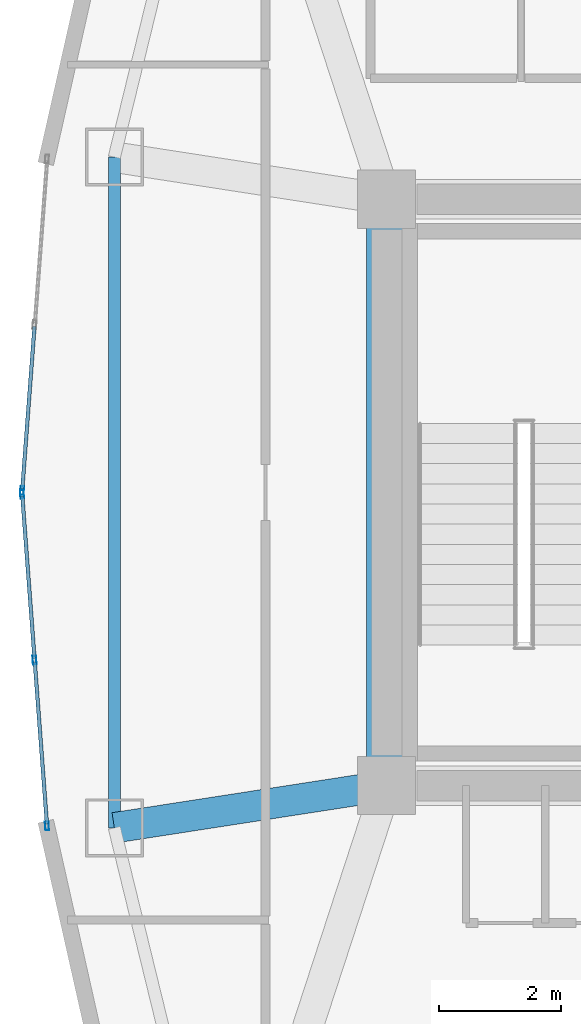
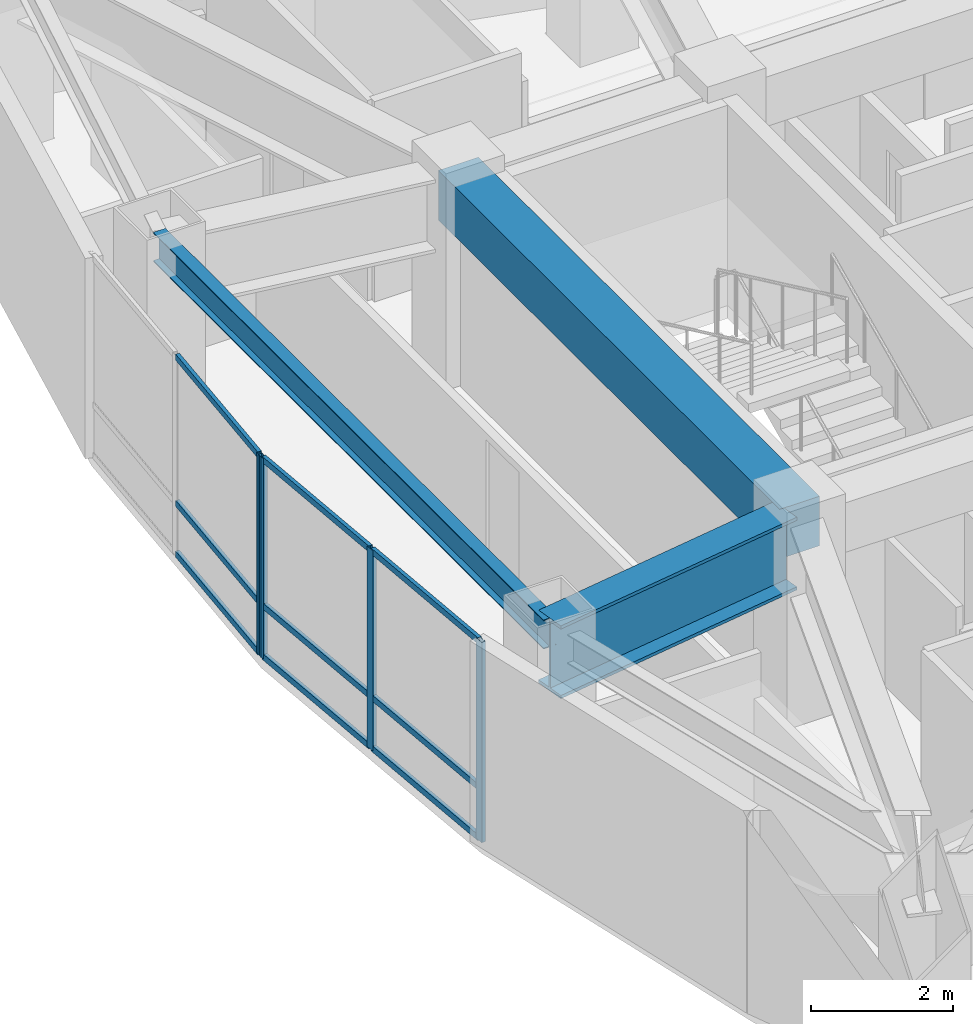
# One storey, part 3 of 15: 13 members, 3 beams, 2 elements without a shape of their own.
"""IFC4 building model written with IfcOpenShell, lengths in metres."""

from ifc_helpers import new_model, si_unit, direction, frame, origin, origin_2d, place, context, subcontext, project, spatial, rectangle, hollow_rectangle, i_section, extrude, material, layer, layer_set, material_profile, profile_set, type_object, element, aggregate, save


model = new_model("IFC4")

# Units and contexts
model_context = context("Model", 3, precision=1e-05, world=origin(), true_north=direction((0.0, 1.0)))
body_context = subcontext(model_context, "Body", "Model", "MODEL_VIEW")
ifc_project = project(units=[si_unit("LENGTHUNIT", "METRE"), si_unit("AREAUNIT", "SQUARE_METRE"), si_unit("VOLUMEUNIT", "CUBIC_METRE"), si_unit("PLANEANGLEUNIT", "RADIAN"), si_unit("MASSUNIT", "GRAM", prefix="KILO")], contexts=[model_context])

# Site, building, storey
site_placement = place(None, origin())
site = spatial("IfcSite", under=ifc_project, at=site_placement, CompositionType="ELEMENT")
building_placement = place(site_placement, origin())
building = spatial("IfcBuilding", under=site, at=building_placement, Name="Menara Vayukalpa", CompositionType="ELEMENT")
storey_placement = place(building_placement, frame((0.0, 0.0, 230.699951171875)))
storey = spatial("IfcBuildingStorey", under=building, at=storey_placement, Name="L58", CompositionType="ELEMENT", Elevation=230.699951171875)

# Beams
ifc_material_1 = material(Name="Concrete C60/75", Category="concrete")
ifc_material_profile_1 = material_profile(ifc_material_1, rectangle(XDim=0.64990234375, YDim=0.85009765625, at=origin_2d()), Name="RC 650x850")
ifc_profile_set_1 = profile_set([ifc_material_profile_1], Name="Concrete C60/75")
beam_type_1 = type_object("IfcBeamType", Name="BM-CB1", PredefinedType="BEAM", material=ifc_profile_set_1)
beam_1_placement = place(storey_placement, frame((17.800048828125, 17.199951171875, 3.01513671875), z_axis=(0.0, 1.0, 0.0), x_axis=(-1.0, 0.0, 0.0)))
element("IfcBeam", 1, at=beam_1_placement, inside=storey, type_object=beam_type_1, Name="L58 Core Tie Beam CBR7", PredefinedType="BEAM", context=body_context, shape_type="SweptSolid", body=[
    extrude(rectangle(XDim=0.64990234375, YDim=0.85009765625, at=origin_2d()), origin(), (0.0, 0.0, 1.0), 9.60009765625),
])
ifc_material_2 = material(Name="Steel S355", Category="steel")
ifc_material_profile_2 = material_profile(ifc_material_2, i_section(OverallWidth=0.199951171875, OverallDepth=0.5, WebThickness=0.010009765625, FlangeThickness=0.01611328125, at=origin_2d()), Name="WF 500x200x10x16")
ifc_profile_set_2 = profile_set([ifc_material_profile_2], Name="Steel S355")
beam_type_2 = type_object("IfcBeamType", Name="BM-SP3", PredefinedType="SPANDREL", material=ifc_profile_set_2)
beam_2_placement = place(storey_placement, frame((13.343994140625, 27.4892578125, 3.18994140625), z_axis=(0.0, -1.0, 0.0), x_axis=(1.0, 0.0, 0.0)))
element("IfcBeam", 2, at=beam_2_placement, inside=storey, type_object=beam_type_2, Name="L58 Perimeter Spandrel Beam SP05", PredefinedType="SPANDREL", context=body_context, shape_type="SweptSolid", body=[
    extrude(i_section(OverallWidth=0.199951171875, OverallDepth=0.5, WebThickness=0.010009765625, FlangeThickness=0.01611328125, at=origin_2d()), origin(), (0.0, 0.0, 1.0), 10.978515625),
])
ifc_material_3 = material(Name="Steel S460", Category="steel")
ifc_material_profile_3 = material_profile(ifc_material_3, i_section(OverallWidth=0.5, OverallDepth=1.25, WebThickness=0.028076171875, FlangeThickness=0.054931640625, at=origin_2d()), Name="WG 1250x500x28x55")
ifc_profile_set_3 = profile_set([ifc_material_profile_3], Name="Steel S460")
beam_type_3 = type_object("IfcBeamType", Name="BM-TG2", PredefinedType="BEAM", material=ifc_profile_set_3)
beam_3_placement = place(storey_placement, frame((17.552978515625, 17.161865234375, 2.81494140625), z_axis=(-0.988244781219, -0.152879862617, 0.0), x_axis=(0.152879862617, -0.988244781219, 0.0)))
element("IfcBeam", 3, at=beam_3_placement, inside=storey, type_object=beam_type_3, Name="L58 Primary Radial Girder RG06", PredefinedType="BEAM", context=body_context, shape_type="SweptSolid", body=[
    extrude(i_section(OverallWidth=0.5, OverallDepth=1.25, WebThickness=0.028076171875, FlangeThickness=0.054931640625, at=origin_2d()), origin(), (0.0, 0.0, 1.0), 4.259033203125),
])

# Curtain wall, member
ifc_material_4 = material(Name="Anodised Terracotta Aluminium Alloy 6063-T6", Category="masonry")
ifc_layer = layer(ifc_material_4, 0.139892578125)
ifc_layer_set = layer_set([ifc_layer], Name="Anodised Terracotta Aluminium Alloy 6063-T6")
curtain_wall_type = type_object("IfcCurtainWallType", Name="CW-CW5", PredefinedType="USERDEFINED", material=ifc_layer_set)
curtain_wall_1_placement = place(storey_placement, origin())
curtain_wall_1 = element("IfcCurtainWall", 4, at=curtain_wall_1_placement, inside=storey, type_object=curtain_wall_type, Name="L58 High Rise Tapered Curtain Wall CW5 10", ObjectType="UNITISED", PredefinedType="USERDEFINED")
ifc_material_5 = material(Name="Anodised Terracotta Aluminium Alloy 6063-T6", Category="masonry")
ifc_material_profile_4 = material_profile(ifc_material_5, hollow_rectangle(XDim=0.06005859375, YDim=0.139892578125, WallThickness=0.00341796875, at=origin_2d()), Name="ALU 60x140x3.5")
ifc_profile_set_4 = profile_set([ifc_material_profile_4], Name="Anodised Terracotta Aluminium Alloy 6063-T6")
member_type_1 = type_object("IfcMemberType", Name="CWM-CW5", PredefinedType="MULLION", material=ifc_profile_set_4)
member_1_placement = place(storey_placement, frame((11.83447265625, 22.030029296875, 0.0), z_axis=(0.0, 0.0, 1.0), x_axis=(0.9971991744, -0.074791754736, 0.0)))
member_1 = element("IfcMember", 5, at=member_1_placement, type_object=member_type_1, Name="CW5 mullion 3", PredefinedType="MULLION", context=body_context, shape_type="SweptSolid", body=[
    extrude(hollow_rectangle(XDim=0.06005859375, YDim=0.139892578125, WallThickness=0.00341796875, at=origin_2d()), origin(), (0.0, 0.0, 1.0), 3.43994140625),
])

# Curtain wall, members
curtain_wall_2_placement = place(storey_placement, origin())
curtain_wall_2 = element("IfcCurtainWall", 6, at=curtain_wall_2_placement, inside=storey, type_object=curtain_wall_type, Name="L58 High Rise Tapered Curtain Wall CW5 11", ObjectType="UNITISED", PredefinedType="USERDEFINED")
member_2_placement = place(storey_placement, frame((11.83447265625, 21.969970703125, 0.0), z_axis=(0.0, 0.0, 1.0), x_axis=(0.9971991744, 0.074791754736, 0.0)))
member_2 = element("IfcMember", 7, at=member_2_placement, type_object=member_type_1, Name="CW5 mullion 1", PredefinedType="MULLION", context=body_context, shape_type="SweptSolid", body=[
    extrude(hollow_rectangle(XDim=0.06005859375, YDim=0.139892578125, WallThickness=0.00341796875, at=origin_2d()), origin(), (0.0, 0.0, 1.0), 3.43994140625),
])
member_3_placement = place(storey_placement, frame((12.0380859375, 19.25537109375, 0.0), z_axis=(0.0, 0.0, 1.0), x_axis=(0.9971991744, 0.074791754736, 0.0)))
member_3 = element("IfcMember", 8, at=member_3_placement, type_object=member_type_1, Name="CW5 mullion 2", PredefinedType="MULLION", context=body_context, shape_type="SweptSolid", body=[
    extrude(hollow_rectangle(XDim=0.06005859375, YDim=0.139892578125, WallThickness=0.00341796875, at=origin_2d()), origin(), (0.0, 0.0, 1.0), 3.43994140625),
])
member_4_placement = place(storey_placement, frame((12.24169921875, 16.540771484375, 0.0), z_axis=(0.0, 0.0, 1.0), x_axis=(0.9971991744, 0.074791754736, 0.0)))
member_4 = element("IfcMember", 9, at=member_4_placement, type_object=member_type_1, Name="CW5 mullion 3", PredefinedType="MULLION", context=body_context, shape_type="SweptSolid", body=[
    extrude(hollow_rectangle(XDim=0.06005859375, YDim=0.139892578125, WallThickness=0.00341796875, at=origin_2d()), origin(), (0.0, 0.0, 1.0), 3.43994140625),
])

# Member
ifc_material_6 = material(Name="Anodised Terracotta Aluminium Alloy 6063-T6", Category="masonry")
ifc_material_profile_5 = material_profile(ifc_material_6, hollow_rectangle(XDim=0.06005859375, YDim=0.10498046875, WallThickness=0.0029296875, at=origin_2d()), Name="ALU 60x105x3")
ifc_profile_set_5 = profile_set([ifc_material_profile_5], Name="Anodised Terracotta Aluminium Alloy 6063-T6")
member_type_2 = type_object("IfcMemberType", Name="CWT-CW5", PredefinedType="USERDEFINED", material=ifc_profile_set_5)
member_5_placement = place(storey_placement, frame((12.035888671875, 24.714599609375, 0.030029296875), z_axis=(-0.074830984436, -0.997196231325, 0.0), x_axis=(0.997196231325, -0.074830984436, 0.0)))
member_5 = element("IfcMember", 10, at=member_5_placement, type_object=member_type_2, Name="CW5 transom 2.1", ObjectType="TRANSOM", PredefinedType="USERDEFINED", context=body_context, shape_type="SweptSolid", body=[
    extrude(hollow_rectangle(XDim=0.06005859375, YDim=0.10498046875, WallThickness=0.0029296875, at=origin_2d()), origin(), (0.0, 0.0, 1.0), 2.662353515625),
])

member_6_placement = place(storey_placement, frame((12.035888671875, 24.714599609375, 0.900146484375), z_axis=(-0.074830984436, -0.997196231325, 0.0), x_axis=(0.997196231325, -0.074830984436, 0.0)))
member_6 = element("IfcMember", 11, at=member_6_placement, type_object=member_type_2, Name="CW5 transom 2.2", ObjectType="TRANSOM", PredefinedType="USERDEFINED", context=body_context, shape_type="SweptSolid", body=[
    extrude(hollow_rectangle(XDim=0.06005859375, YDim=0.10498046875, WallThickness=0.0029296875, at=origin_2d()), origin(), (0.0, 0.0, 1.0), 2.662353515625),
])

member_7_placement = place(storey_placement, frame((12.035888671875, 24.714599609375, 3.41015625), z_axis=(-0.074830984436, -0.997196231325, 0.0), x_axis=(0.997196231325, -0.074830984436, 0.0)))
member_7 = element("IfcMember", 12, at=member_7_placement, type_object=member_type_2, Name="CW5 transom 2.3", ObjectType="TRANSOM", PredefinedType="USERDEFINED", context=body_context, shape_type="SweptSolid", body=[
    extrude(hollow_rectangle(XDim=0.06005859375, YDim=0.10498046875, WallThickness=0.0029296875, at=origin_2d()), origin(), (0.0, 0.0, 1.0), 2.662353515625),
])

aggregate(curtain_wall_1, [member_1, member_5, member_6, member_7])

member_8_placement = place(storey_placement, frame((11.836669921875, 21.940185546875, 0.030029296875), z_axis=(0.074830984436, -0.997196231325, 0.0), x_axis=(0.997196231325, 0.074830984436, 0.0)))
member_8 = element("IfcMember", 13, at=member_8_placement, type_object=member_type_2, Name="CW5 transom 1.1", ObjectType="TRANSOM", PredefinedType="USERDEFINED", context=body_context, shape_type="SweptSolid", body=[
    extrude(hollow_rectangle(XDim=0.06005859375, YDim=0.10498046875, WallThickness=0.0029296875, at=origin_2d()), origin(), (0.0, 0.0, 1.0), 2.662353515625),
])

member_9_placement = place(storey_placement, frame((11.836669921875, 21.940185546875, 0.900146484375), z_axis=(0.074830984436, -0.997196231325, 0.0), x_axis=(0.997196231325, 0.074830984436, 0.0)))
member_9 = element("IfcMember", 14, at=member_9_placement, type_object=member_type_2, Name="CW5 transom 1.2", ObjectType="TRANSOM", PredefinedType="USERDEFINED", context=body_context, shape_type="SweptSolid", body=[
    extrude(hollow_rectangle(XDim=0.06005859375, YDim=0.10498046875, WallThickness=0.0029296875, at=origin_2d()), origin(), (0.0, 0.0, 1.0), 2.662353515625),
])

member_10_placement = place(storey_placement, frame((11.836669921875, 21.940185546875, 3.41015625), z_axis=(0.074830984436, -0.997196231325, 0.0), x_axis=(0.997196231325, 0.074830984436, 0.0)))
member_10 = element("IfcMember", 15, at=member_10_placement, type_object=member_type_2, Name="CW5 transom 1.3", ObjectType="TRANSOM", PredefinedType="USERDEFINED", context=body_context, shape_type="SweptSolid", body=[
    extrude(hollow_rectangle(XDim=0.06005859375, YDim=0.10498046875, WallThickness=0.0029296875, at=origin_2d()), origin(), (0.0, 0.0, 1.0), 2.662353515625),
])

member_11_placement = place(storey_placement, frame((12.040283203125, 19.2255859375, 0.030029296875), z_axis=(0.074824141952, -0.997196744771, 0.0), x_axis=(0.997196744771, 0.074824141952, 0.0)))
member_11 = element("IfcMember", 16, at=member_11_placement, type_object=member_type_2, Name="CW5 transom 2.1", ObjectType="TRANSOM", PredefinedType="USERDEFINED", context=body_context, shape_type="SweptSolid", body=[
    extrude(hollow_rectangle(XDim=0.06005859375, YDim=0.10498046875, WallThickness=0.0029296875, at=origin_2d()), origin(), (0.0, 0.0, 1.0), 2.66259765625),
])

member_12_placement = place(storey_placement, frame((12.040283203125, 19.2255859375, 0.900146484375), z_axis=(0.074824141952, -0.997196744771, 0.0), x_axis=(0.997196744771, 0.074824141952, 0.0)))
member_12 = element("IfcMember", 17, at=member_12_placement, type_object=member_type_2, Name="CW5 transom 2.2", ObjectType="TRANSOM", PredefinedType="USERDEFINED", context=body_context, shape_type="SweptSolid", body=[
    extrude(hollow_rectangle(XDim=0.06005859375, YDim=0.10498046875, WallThickness=0.0029296875, at=origin_2d()), origin(), (0.0, 0.0, 1.0), 2.66259765625),
])

member_13_placement = place(storey_placement, frame((12.040283203125, 19.2255859375, 3.41015625), z_axis=(0.074824141952, -0.997196744771, 0.0), x_axis=(0.997196744771, 0.074824141952, 0.0)))
member_13 = element("IfcMember", 18, at=member_13_placement, type_object=member_type_2, Name="CW5 transom 2.3", ObjectType="TRANSOM", PredefinedType="USERDEFINED", context=body_context, shape_type="SweptSolid", body=[
    extrude(hollow_rectangle(XDim=0.06005859375, YDim=0.10498046875, WallThickness=0.0029296875, at=origin_2d()), origin(), (0.0, 0.0, 1.0), 2.66259765625),
])

aggregate(curtain_wall_2, [member_2, member_3, member_4, member_8, member_9, member_10, member_11, member_12, member_13])

save(model, "model.ifc")
